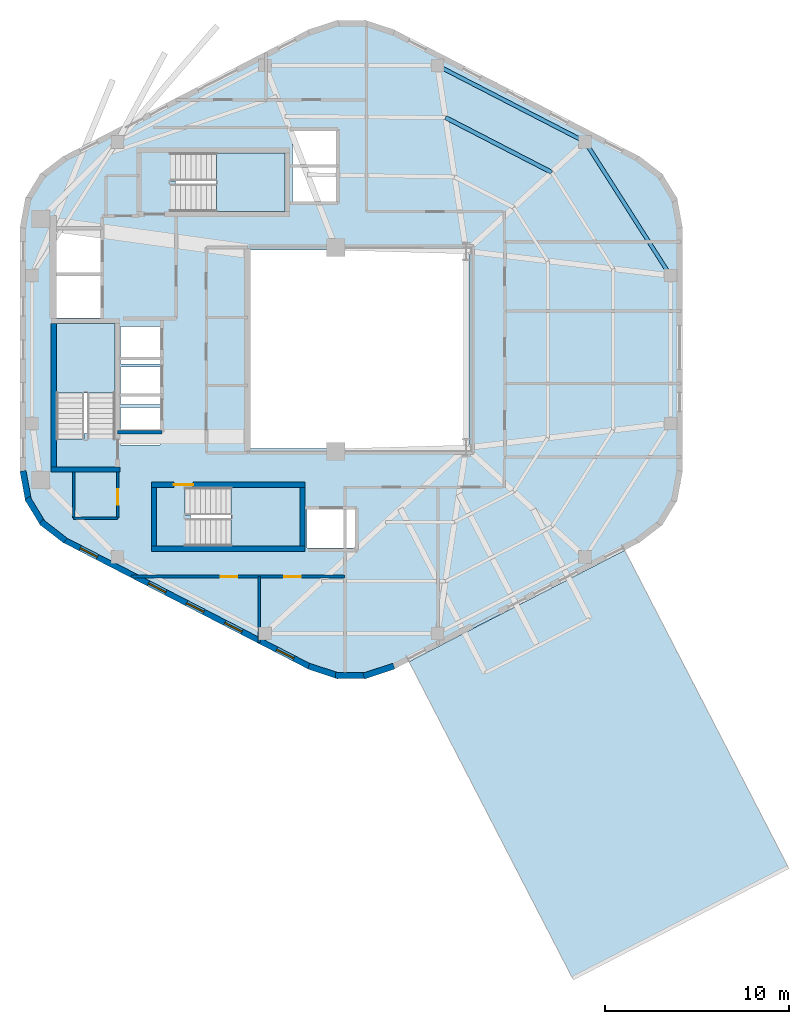
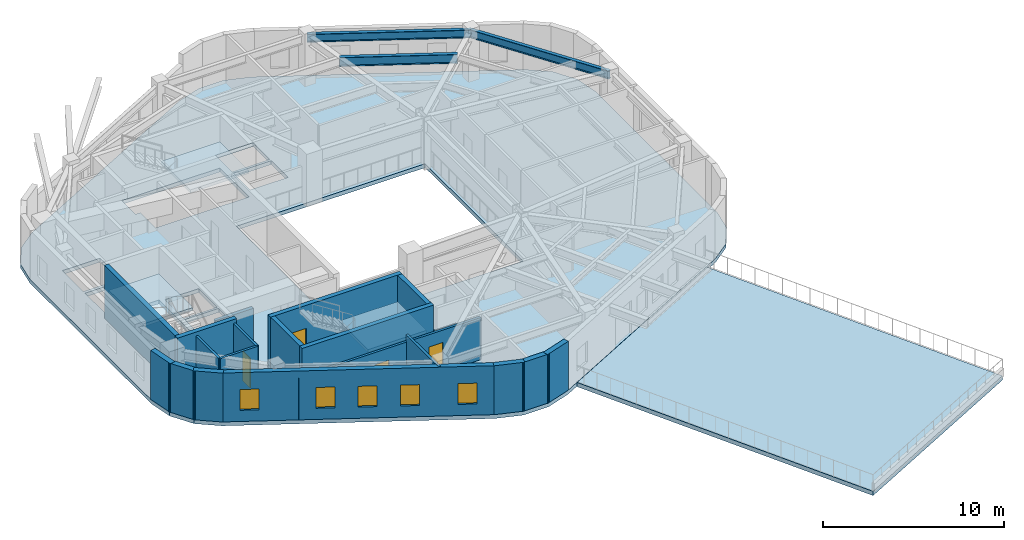
# One storey, part 2 of 8: 19 walls, 5 slabs, 5 windows, 4 doors, 3 beams, 9 openings, 4 elements without a shape of their own.
"""IFC4 building model written with IfcOpenShell, lengths in metres."""

from ifc_helpers import new_model, si_unit, direction, frame, frame_2d, origin, origin_2d, place, context, subcontext, project, spatial, polyline, rectangle, i_section, outline, extrude, material, layer, layer_set, material_profile, profile_set, type_object, element, fill, aggregate, save


model = new_model("IFC4")

# Units and contexts
model_context = context("Model", 3, precision=1e-05, world=origin(), true_north=direction((0.0, 1.0)))
body_context = subcontext(model_context, "Body", "Model", "MODEL_VIEW")
ifc_project = project(units=[si_unit("LENGTHUNIT", "METRE"), si_unit("AREAUNIT", "SQUARE_METRE"), si_unit("VOLUMEUNIT", "CUBIC_METRE"), si_unit("PLANEANGLEUNIT", "RADIAN"), si_unit("MASSUNIT", "GRAM", prefix="KILO"), si_unit("THERMODYNAMICTEMPERATUREUNIT", "KELVIN"), si_unit("POWERUNIT", "WATT")], contexts=[model_context])

# Site, building, storey
site_placement = place(None, origin())
site = spatial("IfcSite", under=ifc_project, at=site_placement, CompositionType="ELEMENT")
building_placement = place(site_placement, origin())
building = spatial("IfcBuilding", under=site, at=building_placement, Name="Skarre Station Tower", CompositionType="ELEMENT")
storey_placement = place(building_placement, frame((0.0, 0.0, 245.449951171875)))
storey = spatial("IfcBuildingStorey", under=building, at=storey_placement, Name="L67", CompositionType="ELEMENT", Elevation=245.449951171875)

# Beams
ifc_material_1 = material(Name="Steel ASTM A992 Grade 50", Category="steel")
ifc_material_profile_1 = material_profile(ifc_material_1, i_section(OverallWidth=0.22802734375, OverallDepth=0.60791015625, WebThickness=0.010986328125, FlangeThickness=0.01708984375, at=origin_2d()), Name="Steel ASTM A992 Grade 50")
ifc_profile_set_1 = profile_set([ifc_material_profile_1], Name="Steel ASTM A992 Grade 50")
beam_type_1 = type_object("IfcBeamType", Name="Steel Joist W24X76", PredefinedType="JOIST", material=ifc_profile_set_1)
beam_1_placement = place(storey_placement, frame((44.113037109375, 33.633056640625, 2.986083984375), z_axis=(-0.888610306875, 0.458662972689, 0.0), x_axis=(-0.458662972689, -0.888610306875, 0.0)))
element("IfcBeam", 1, at=beam_1_placement, inside=storey, type_object=beam_type_1, Name="L67 Secondary Floor Joist 2", PredefinedType="JOIST", context=body_context, shape_type="SweptSolid", body=[
    extrude(i_section(OverallWidth=0.22802734375, OverallDepth=0.60791015625, WebThickness=0.010986328125, FlangeThickness=0.01708984375, at=origin_2d()), origin(), (0.0, 0.0, 1.0), 6.512451171875),
])
ifc_material_profile_2 = material_profile(ifc_material_1, i_section(OverallWidth=0.214111328125, OverallDepth=0.549072265625, WebThickness=0.014892578125, FlangeThickness=0.02392578125, at=origin_2d()), Name="Steel ASTM A992 Grade 50")
ifc_profile_set_2 = profile_set([ifc_material_profile_2], Name="Steel ASTM A992 Grade 50")
beam_type_2 = type_object("IfcBeamType", Name="Steel Spandrel W21X93", PredefinedType="SPANDREL", material=ifc_profile_set_2)
beam_2_placement = place(storey_placement, frame((45.927001953125, 35.298095703125, 3.01611328125), z_axis=(-0.888610011727, 0.458663544505, 0.0), x_axis=(-0.458663544505, -0.888610011727, 0.0)))
element("IfcBeam", 2, at=beam_2_placement, inside=storey, type_object=beam_type_2, Name="L67 Facet Spandrel Beam 1", PredefinedType="SPANDREL", context=body_context, shape_type="SweptSolid", body=[
    extrude(i_section(OverallWidth=0.214111328125, OverallDepth=0.549072265625, WebThickness=0.014892578125, FlangeThickness=0.02392578125, at=origin_2d()), origin(), (0.0, 0.0, 1.0), 9.045654296875),
])
beam_3_placement = place(storey_placement, frame((50.56298828125, 28.02099609375, 3.01611328125), z_axis=(-0.537296523663, 0.843393410965, 0.0), x_axis=(-0.843393410965, -0.537296523663, 0.0)))
element("IfcBeam", 3, at=beam_3_placement, inside=storey, type_object=beam_type_2, Name="L67 Facet Spandrel Beam 12", PredefinedType="SPANDREL", context=body_context, shape_type="SweptSolid", body=[
    extrude(i_section(OverallWidth=0.214111328125, OverallDepth=0.549072265625, WebThickness=0.014892578125, FlangeThickness=0.02392578125, at=origin_2d()), origin(), (0.0, 0.0, 1.0), 8.62841796875),
])

# Roof, slab
ifc_material_2 = material(Name="Precast concrete C40/50", Category="concrete")
ifc_layer_1 = layer(ifc_material_2, 0.320068359375, Name="Precast concrete C40/50")
ifc_layer_set_1 = layer_set([ifc_layer_1], Name="Precast concrete C40/50")
roof_type = type_object("IfcRoofType", Name="Insulated Standing-Seam & Inverted Ballasted Roof Assembly", PredefinedType="FLAT_ROOF", material=ifc_layer_set_1)
roof_placement = place(storey_placement, origin())
roof = element("IfcRoof", 4, at=roof_placement, inside=storey, type_object=roof_type, Name="L67 SB-5 Sky-Bar Roof Assembly", PredefinedType="FLAT_ROOF")
ifc_material_3 = material(Name="Concrete C50/60", Category="concrete")
ifc_layer_2 = layer(ifc_material_3, 0.284912109375, Name="Concrete C50/60")
ifc_layer_set_2 = layer_set([ifc_layer_2], Name="Concrete C50/60")
slab_type_1 = type_object("IfcSlabType", Name="Occupied Terrace Roof Deck Slab 285", PredefinedType="ROOF", material=ifc_layer_set_2)
slab_1_placement = place(storey_placement, frame((0.0, 0.0, -0.284912109375)))
slab_1 = element("IfcSlab", 5, at=slab_1_placement, type_object=slab_type_1, Name="L67 SB-5 Sky-Bar Roof Terrace Deck", PredefinedType="ROOF", context=body_context, shape_type="SweptSolid", body=[
    extrude(outline(polyline([(48.075927734375, 13.069091796875), (36.345947265625, 7.012939453125), (45.240966796875, -10.216064453125), (56.969970703125, -4.160888671875), (48.075927734375, 13.069091796875)])), origin(), (0.0, 0.0, 1.0), 0.284912109375),
])
aggregate(roof, [slab_1])

# Stair, slab
ifc_material_4 = material(Name="Concrete C40/50", Category="concrete")
stair_type_1 = type_object("IfcStairType", Name="Reinforced Concrete Exit Stair ST-1", PredefinedType="HALF_TURN_STAIR", material=ifc_material_4)
stair_1_placement = place(storey_placement, origin())
stair_1 = element("IfcStair", 6, at=stair_1_placement, inside=storey, type_object=stair_type_1, Name="L67 Core Exit Stair ST-1", PredefinedType="HALF_TURN_STAIR")
ifc_layer_3 = layer(ifc_material_4, 0.219970703125, Name="Concrete C40/50")
ifc_layer_set_3 = layer_set([ifc_layer_3], Name="Concrete C40/50")
slab_type_2 = type_object("IfcSlabType", Name="Reinforced Concrete Stair & Ramp Landing 220", PredefinedType="LANDING", material=ifc_layer_set_3)
slab_2_placement = place(storey_placement, frame((0.0, 0.0, 1.574951171875)))
slab_2 = element("IfcSlab", 7, at=slab_2_placement, type_object=slab_type_2, Name="ST-1 landing 1", PredefinedType="LANDING", context=body_context, shape_type="SweptSolid", body=[
    extrude(outline(polyline([(20.35009765625, 21.639892578125), (20.35009765625, 25.39990234375), (17.14990234375, 25.39990234375), (17.14990234375, 21.639892578125), (20.35009765625, 21.639892578125)])), origin(), (0.0, 0.0, 1.0), 0.2001953125),
])
aggregate(stair_1, [slab_2])

stair_type_2 = type_object("IfcStairType", Name="Reinforced Concrete Exit Stair ST-2", PredefinedType="HALF_TURN_STAIR", material=ifc_material_4)
stair_2_placement = place(storey_placement, origin())
stair_2 = element("IfcStair", 8, at=stair_2_placement, inside=storey, type_object=stair_type_2, Name="L67 Core Exit Stair ST-2", PredefinedType="HALF_TURN_STAIR")
slab_3_placement = place(storey_placement, frame((0.0, 0.0, 1.574951171875)))
slab_3 = element("IfcSlab", 9, at=slab_3_placement, type_object=slab_type_2, Name="ST-2 landing 1", PredefinedType="LANDING", context=body_context, shape_type="SweptSolid", body=[
    extrude(outline(polyline([(26.669921875, 13.300048828125), (30.39990234375, 13.300048828125), (30.39990234375, 16.5), (26.669921875, 16.5), (26.669921875, 13.300048828125)])), origin(), (0.0, 0.0, 1.0), 0.2001953125),
])
aggregate(stair_2, [slab_3])

stair_type_3 = type_object("IfcStairType", Name="Reinforced Concrete Exit Stair ST-3", PredefinedType="HALF_TURN_STAIR", material=ifc_material_4)
stair_3_placement = place(storey_placement, origin())
stair_3 = element("IfcStair", 10, at=stair_3_placement, inside=storey, type_object=stair_type_3, Name="L67 Core Exit Stair ST-3", PredefinedType="HALF_TURN_STAIR")
slab_4_placement = place(storey_placement, frame((0.0, 0.0, 1.574951171875)))
slab_4 = element("IfcSlab", 11, at=slab_4_placement, type_object=slab_type_2, Name="ST-3 landing 1", PredefinedType="LANDING", context=body_context, shape_type="SweptSolid", body=[
    extrude(outline(polyline([(25.8701171875, 31.5), (29.60009765625, 31.5), (29.60009765625, 34.699951171875), (25.8701171875, 34.699951171875), (25.8701171875, 31.5)])), origin(), (0.0, 0.0, 1.0), 0.2001953125),
])
aggregate(stair_3, [slab_4])

# Slab
ifc_layer_4 = layer(ifc_material_3, 0.260009765625, Name="Concrete C50/60")
ifc_layer_set_4 = layer_set([ifc_layer_4], Name="Concrete C50/60")
slab_type_3 = type_object("IfcSlabType", Name="Tower Typical Composite Floor Slab 260", PredefinedType="FLOOR", material=ifc_layer_set_4)
slab_5_placement = place(storey_placement, frame((0.0, 0.0, -0.260009765625)))
element("IfcSlab", 12, at=slab_5_placement, inside=storey, type_object=slab_type_3, Name="L67 Zone 4 Structural Floor Slab", PredefinedType="FLOOR", context=body_context, shape_type="SweptSolid", body=[
    extrude(outline(polyline([(51.212890625, 30.701904296875), (50.93310546875, 32.222900390625), (50.1279296875, 33.544921875), (48.905029296875, 34.491943359375), (35.508056640625, 41.407958984375), (33.99609375, 41.906005859375), (32.404052734375, 41.906005859375), (30.89208984375, 41.407958984375), (17.4951171875, 34.491943359375), (16.27197265625, 33.544921875), (15.467041015625, 32.222900390625), (15.18701171875, 30.701904296875), (15.18701171875, 17.298095703125), (15.467041015625, 15.777099609375), (16.27197265625, 14.455078125), (17.4951171875, 13.508056640625), (30.89208984375, 6.592041015625), (32.404052734375, 6.093994140625), (33.99609375, 6.093994140625), (35.508056640625, 6.592041015625), (48.905029296875, 13.508056640625), (50.1279296875, 14.455078125), (50.93310546875, 15.777099609375), (51.212890625, 17.298095703125), (51.212890625, 30.701904296875)]), holes=[polyline([(18.669921875, 19.419921875), (18.669921875, 19.123046875), (17.14990234375, 19.123046875), (17.14990234375, 25.39990234375), (20.35009765625, 25.39990234375), (20.35009765625, 19.419921875), (18.669921875, 19.419921875)]), polyline([(24.449951171875, 14.97998046875), (24.153076171875, 14.97998046875), (24.153076171875, 16.5), (30.39990234375, 16.5), (30.39990234375, 13.300048828125), (24.449951171875, 13.300048828125), (24.449951171875, 14.97998046875)]), polyline([(23.64990234375, 33.179931640625), (23.35302734375, 33.179931640625), (23.35302734375, 34.699951171875), (29.60009765625, 34.699951171875), (29.60009765625, 31.5), (23.64990234375, 31.5), (23.64990234375, 33.179931640625)]), polyline([(17.14990234375, 28.0), (19.550048828125, 28.0), (19.550048828125, 25.699951171875), (17.14990234375, 25.699951171875), (17.14990234375, 28.0)]), polyline([(17.14990234375, 30.5), (19.550048828125, 30.5), (19.550048828125, 28.199951171875), (17.14990234375, 28.199951171875), (17.14990234375, 30.5)]), polyline([(30.800048828125, 15.300048828125), (33.39990234375, 15.300048828125), (33.39990234375, 13.199951171875), (30.800048828125, 13.199951171875), (30.800048828125, 15.300048828125)]), polyline([(20.64990234375, 20.85009765625), (22.800048828125, 20.85009765625), (22.800048828125, 18.800048828125), (20.64990234375, 18.800048828125), (20.64990234375, 20.85009765625)]), polyline([(20.64990234375, 23.050048828125), (22.800048828125, 23.050048828125), (22.800048828125, 21.0), (20.64990234375, 21.0), (20.64990234375, 23.050048828125)]), polyline([(20.64990234375, 25.25), (22.800048828125, 25.25), (22.800048828125, 23.199951171875), (20.64990234375, 23.199951171875), (20.64990234375, 25.25)]), polyline([(30.0, 33.89990234375), (32.39990234375, 33.89990234375), (32.39990234375, 32.050048828125), (30.0, 32.050048828125), (30.0, 33.89990234375)]), polyline([(30.0, 35.89990234375), (32.39990234375, 35.89990234375), (32.39990234375, 34.050048828125), (30.0, 34.050048828125), (30.0, 35.89990234375)]), polyline([(27.60009765625, 29.39990234375), (39.60009765625, 29.39990234375), (39.60009765625, 18.60009765625), (27.60009765625, 18.60009765625), (27.60009765625, 29.39990234375)])]), origin(), (0.0, 0.0, 1.0), 0.260009765625),
])

# Walls
ifc_material_5 = material(Name="Acoustic Steel-Stud Gypsum Partition", Category="steel")
ifc_layer_5 = layer(ifc_material_5, 0.14990234375, Name="Acoustic Steel-Stud Gypsum Partition")
ifc_layer_set_5 = layer_set([ifc_layer_5], Name="Acoustic Steel-Stud Gypsum Partition")
wall_type_1 = type_object("IfcWallType", Name="Fire-Rated Corridor Acoustic Partition 150", PredefinedType="PARTITIONING", material=ifc_layer_set_5)
wall_1_placement = place(storey_placement, frame((18.10009765625, 17.340087890625, 0.0), z_axis=(0.0, 0.0, 1.0), x_axis=(0.0, -1.0, 0.0)))
element("IfcWall", 13, at=wall_1_placement, inside=storey, type_object=wall_type_1, Name="L67 Interior Partition WL-PT-L67-CSVC-W", PredefinedType="PARTITIONING", context=body_context, shape_type="SweptSolid", body=[
    extrude(rectangle(XDim=2.52001953125, YDim=0.14990234375, at=frame_2d((1.260009765625, 0.0))), origin(), (0.0, 0.0, 1.0), 3.2900390625),
])
wall_2_placement = place(storey_placement, frame((18.10009765625, 14.820068359375, 0.0), z_axis=(0.0, 0.0, 1.0), x_axis=(1.0, 0.0, 0.0)))
element("IfcWall", 14, at=wall_2_placement, inside=storey, type_object=wall_type_1, Name="L67 Interior Partition WL-PT-L67-CSVC-S", PredefinedType="PARTITIONING", context=body_context, shape_type="SweptSolid", body=[
    extrude(rectangle(XDim=2.389892578125, YDim=0.14990234375, at=frame_2d((1.19482421875, 0.0))), origin(), (0.0, 0.0, 1.0), 3.2900390625),
])

# Wall, opening, door
wall_3_placement = place(storey_placement, frame((20.489990234375, 14.820068359375, 0.0), z_axis=(0.0, 0.0, 1.0), x_axis=(0.0, 1.0, 0.0)))
wall_3 = element("IfcWall", 15, at=wall_3_placement, inside=storey, type_object=wall_type_1, Name="L67 Interior Partition WL-PT-L67-CSVC-E", PredefinedType="PARTITIONING", context=body_context, shape_type="SweptSolid", body=[
    extrude(rectangle(XDim=2.52001953125, YDim=0.14990234375, at=frame_2d((1.260009765625, 0.0))), origin(), (0.0, 0.0, 1.0), 3.2900390625),
])
opening_1_placement = place(wall_3_placement, frame((0.719970703125, 0.0, 0.0)))
opening_1 = element("IfcOpeningElement", 16, at=opening_1_placement, cuts=wall_3, Name="Opening DR-SVC86", PredefinedType="OPENING", context=body_context, shape_type="SweptSolid", body=[
    extrude(rectangle(XDim=0.860107421875, YDim=2.0, at=frame_2d((0.43017578125, 1.0))), frame((0.0, 0.0849609375, 0.0), z_axis=(0.0, -1.0, 0.0), x_axis=(1.0, 0.0, 0.0)), (0.0, 0.0, 1.0), 0.169921875),
])
ifc_material_6 = material(Name="Powder-Coated Hollow-Metal Acoustic Fire Leaf", Category="steel")
door_type_1 = type_object("IfcDoorType", Name="Compact Riser Fire Door FD60 860x2100", OperationType="SINGLE_SWING_LEFT", PredefinedType="DOOR", material=ifc_material_6)
door_1_placement = place(opening_1_placement, origin())
door_1 = element("IfcDoor", 17, at=door_1_placement, inside=storey, type_object=door_type_1, Name="L67 Core Staff Toilet Door", OperationType="SINGLE_SWING_LEFT", OverallHeight=2.0, OverallWidth=0.860107421875, PredefinedType="DOOR", context=body_context, shape_type="SweptSolid", body=[
    extrude(rectangle(XDim=0.860107421875, YDim=2.0, at=frame_2d((0.43017578125, 1.0))), frame((0.0, 0.02490234375, 0.0), z_axis=(0.0, -1.0, 0.0), x_axis=(1.0, 0.0, 0.0)), (0.0, 0.0, 1.0), 0.050048828125),
])
fill(opening_1, door_1)

# Wall
wall_4_placement = place(storey_placement, frame((28.199951171875, 8.049072265625, 0.0), z_axis=(0.0, 0.0, 1.0), x_axis=(0.0, 1.0, 0.0)))
element("IfcWall", 18, at=wall_4_placement, inside=storey, type_object=wall_type_1, Name="L67 Interior Partition WL-PT-L67-SWP-M", PredefinedType="PARTITIONING", context=body_context, shape_type="SweptSolid", body=[
    extrude(rectangle(XDim=3.5908203125, YDim=0.14990234375, at=frame_2d((1.79541015625, 0.0))), origin(), (0.0, 0.0, 1.0), 3.2900390625),
])

# Wall, openings, doors
wall_5_placement = place(storey_placement, frame((21.243896484375, 11.639892578125, 0.0), z_axis=(0.0, 0.0, 1.0), x_axis=(1.0, 0.0, 0.0)))
wall_5 = element("IfcWall", 19, at=wall_5_placement, inside=storey, type_object=wall_type_1, Name="L67 Interior Partition WL-PT-L67-SWP-N", PredefinedType="PARTITIONING", context=body_context, shape_type="SweptSolid", body=[
    extrude(rectangle(XDim=11.606201171875, YDim=0.14990234375, at=frame_2d((5.80322265625, 0.0))), origin(), (0.0, 0.0, 1.0), 2.8330078125),
])
opening_2_placement = place(wall_5_placement, frame((4.85595703125, 0.0, 0.0)))
opening_2 = element("IfcOpeningElement", 20, at=opening_2_placement, cuts=wall_5, Name="Opening DR-SVC90", PredefinedType="OPENING", context=body_context, shape_type="SweptSolid", body=[
    extrude(rectangle(XDim=0.89990234375, YDim=2.0, at=frame_2d((0.449951171875, 1.0))), frame((0.0, 0.0849609375, 0.0), z_axis=(0.0, -1.0, 0.0), x_axis=(1.0, 0.0, 0.0)), (0.0, 0.0, 1.0), 0.169921875),
])
opening_3_placement = place(wall_5_placement, frame((8.305908203125, 0.0, 0.0)))
opening_3 = element("IfcOpeningElement", 21, at=opening_3_placement, cuts=wall_5, Name="Opening DR-SVC90", PredefinedType="OPENING", context=body_context, shape_type="SweptSolid", body=[
    extrude(rectangle(XDim=0.89990234375, YDim=2.0, at=frame_2d((0.449951171875, 1.0))), frame((0.0, 0.0849609375, 0.0), z_axis=(0.0, -1.0, 0.0), x_axis=(1.0, 0.0, 0.0)), (0.0, 0.0, 1.0), 0.169921875),
])
door_type_2 = type_object("IfcDoorType", Name="Service & Riser Fire Door FD60 900x2100", OperationType="SINGLE_SWING_LEFT", PredefinedType="DOOR", material=ifc_material_6)
door_2_placement = place(opening_2_placement, origin())
door_2 = element("IfcDoor", 22, at=door_2_placement, inside=storey, type_object=door_type_2, Name="L67 Floor Public Toilets Door", OperationType="SINGLE_SWING_LEFT", OverallHeight=2.0, OverallWidth=0.89990234375, PredefinedType="DOOR", context=body_context, shape_type="SweptSolid", body=[
    extrude(rectangle(XDim=0.89990234375, YDim=2.0, at=frame_2d((0.449951171875, 1.0))), frame((0.0, 0.02490234375, 0.0), z_axis=(0.0, -1.0, 0.0), x_axis=(1.0, 0.0, 0.0)), (0.0, 0.0, 1.0), 0.050048828125),
])
fill(opening_2, door_2)
door_3_placement = place(opening_3_placement, origin())
door_3 = element("IfcDoor", 23, at=door_3_placement, inside=storey, type_object=door_type_2, Name="L67 South-West Study Door", OperationType="SINGLE_SWING_LEFT", OverallHeight=2.0, OverallWidth=0.89990234375, PredefinedType="DOOR", context=body_context, shape_type="SweptSolid", body=[
    extrude(rectangle(XDim=0.89990234375, YDim=2.0, at=frame_2d((0.449951171875, 1.0))), frame((0.0, 0.02490234375, 0.0), z_axis=(0.0, -1.0, 0.0), x_axis=(1.0, 0.0, 0.0)), (0.0, 0.0, 1.0), 0.050048828125),
])
fill(opening_3, door_3)

# Walls
ifc_material_7 = material(Name="Precast concrete C45/55", Category="concrete")
ifc_layer_6 = layer(ifc_material_7, 0.330078125, Name="Precast concrete C45/55")
ifc_layer_set_6 = layer_set([ifc_layer_6], Name="Precast concrete C45/55")
wall_type_2 = type_object("IfcWallType", Name="Nordic Rounded Corner Precast Wall 330", PredefinedType="STANDARD", material=ifc_layer_set_6)
wall_6_placement = place(storey_placement, frame((17.64697265625, 13.59912109375, 0.0), z_axis=(0.0, 0.0, 1.0), x_axis=(-0.790691856293, 0.61221433207, 0.0)))
element("IfcWall", 24, at=wall_6_placement, inside=storey, type_object=wall_type_2, Name="L67 Rounded Corner Precast Wall F3-1", PredefinedType="STANDARD", context=body_context, shape_type="SweptSolid", body=[
    extrude(rectangle(XDim=1.67578125, YDim=0.330078125, at=frame_2d((0.837890625, 0.0))), origin(), (0.0, 0.0, 1.0), 3.2900390625),
])
wall_7_placement = place(storey_placement, frame((16.447021484375, 14.485107421875, 0.0), z_axis=(0.0, 0.0, 1.0), x_axis=(-0.520325409202, 0.853968072318, 0.0)))
element("IfcWall", 25, at=wall_7_placement, inside=storey, type_object=wall_type_2, Name="L67 Rounded Corner Precast Wall F3-2", PredefinedType="STANDARD", context=body_context, shape_type="SweptSolid", body=[
    extrude(rectangle(XDim=1.677978515625, YDim=0.330078125, at=frame_2d((0.8388671875, 0.0))), origin(), (0.0, 0.0, 1.0), 3.2900390625),
])
wall_8_placement = place(storey_placement, frame((15.64111328125, 15.742919921875, 0.0), z_axis=(0.0, 0.0, 1.0), x_axis=(-0.180832605401, 0.983513888475, 0.0)))
element("IfcWall", 26, at=wall_8_placement, inside=storey, type_object=wall_type_2, Name="L67 Rounded Corner Precast Wall F3-3", PredefinedType="STANDARD", context=body_context, shape_type="SweptSolid", body=[
    extrude(rectangle(XDim=1.6767578125, YDim=0.330078125, at=frame_2d((0.83837890625, 0.0))), origin(), (0.0, 0.0, 1.0), 3.2900390625),
])
wall_9_placement = place(storey_placement, frame((35.51806640625, 6.76904296875, 0.0), z_axis=(0.0, 0.0, 1.0), x_axis=(-0.949713440491, -0.313120393699, 0.0)))
element("IfcWall", 27, at=wall_9_placement, inside=storey, type_object=wall_type_2, Name="L67 Rounded Corner Precast Wall F4-1", PredefinedType="STANDARD", context=body_context, shape_type="SweptSolid", body=[
    extrude(rectangle(XDim=1.7216796875, YDim=0.330078125, at=frame_2d((0.86083984375, 0.0))), origin(), (0.0, 0.0, 1.0), 3.2900390625),
])
wall_10_placement = place(storey_placement, frame((34.06103515625, 6.259033203125, 0.0), z_axis=(0.0, 0.0, 1.0), x_axis=(-1.0, 0.0, 0.0)))
element("IfcWall", 28, at=wall_10_placement, inside=storey, type_object=wall_type_2, Name="L67 Rounded Corner Precast Wall F4-2", PredefinedType="STANDARD", context=body_context, shape_type="SweptSolid", body=[
    extrude(rectangle(XDim=1.721923828125, YDim=0.330078125, at=frame_2d((0.86083984375, 0.0))), origin(), (0.0, 0.0, 1.0), 3.2900390625),
])
wall_11_placement = place(storey_placement, frame((32.51708984375, 6.22998046875, 0.0), z_axis=(0.0, 0.0, 1.0), x_axis=(-0.949713440491, 0.313120393699, 0.0)))
element("IfcWall", 29, at=wall_11_placement, inside=storey, type_object=wall_type_2, Name="L67 Rounded Corner Precast Wall F4-3", PredefinedType="STANDARD", context=body_context, shape_type="SweptSolid", body=[
    extrude(rectangle(XDim=1.7216796875, YDim=0.330078125, at=frame_2d((0.86083984375, 0.0))), origin(), (0.0, 0.0, 1.0), 3.2900390625),
])

# Wall, openings, windows
ifc_layer_7 = layer(ifc_material_7, 0.31005859375, Name="Precast concrete C45/55")
ifc_layer_set_7 = layer_set([ifc_layer_7], Name="Precast concrete C45/55")
wall_type_3 = type_object("IfcWallType", Name="Nordic Upper-Zone Precast Facet Wall 310", PredefinedType="STANDARD", material=ifc_layer_set_7)
wall_12_placement = place(storey_placement, frame((30.962890625, 6.72998046875, 0.0), z_axis=(0.0, 0.0, 1.0), x_axis=(-0.888581481622, 0.458718814218, 0.0)))
wall_12 = element("IfcWall", 30, at=wall_12_placement, inside=storey, type_object=wall_type_3, Name="L67 Facet 3 Nordic Precast Masonry Wall", PredefinedType="STANDARD", context=body_context, shape_type="SweptSolid", body=[
    extrude(rectangle(XDim=15.076904296875, YDim=0.31005859375, at=frame_2d((7.53857421875, 0.0))), origin(), (0.0, 0.0, 1.0), 3.2900390625),
])
opening_4_placement = place(wall_12_placement, frame((0.998046875, 0.0, 0.75)))
opening_4 = element("IfcOpeningElement", 31, at=opening_4_placement, cuts=wall_12, Name="Opening WN-SLT", PredefinedType="OPENING", context=body_context, shape_type="SweptSolid", body=[
    extrude(rectangle(XDim=1.050048828125, YDim=1.39990234375, at=frame_2d((0.52490234375, 0.699951171875))), frame((0.0, 0.1650390625, 0.0), z_axis=(0.0, -1.0, 0.0), x_axis=(1.0, 0.0, 0.0)), (0.0, 0.0, 1.0), 0.330078125),
])
opening_5_placement = place(wall_12_placement, frame((4.176025390625, 0.0, 0.75)))
opening_5 = element("IfcOpeningElement", 32, at=opening_5_placement, cuts=wall_12, Name="Opening WN-SLT", PredefinedType="OPENING", context=body_context, shape_type="SweptSolid", body=[
    extrude(rectangle(XDim=1.050048828125, YDim=1.39990234375, at=frame_2d((0.52490234375, 0.699951171875))), frame((0.0, 0.1650390625, 0.0), z_axis=(0.0, -1.0, 0.0), x_axis=(1.0, 0.0, 0.0)), (0.0, 0.0, 1.0), 0.330078125),
])
opening_6_placement = place(wall_12_placement, frame((6.509033203125, 0.0, 0.75)))
opening_6 = element("IfcOpeningElement", 33, at=opening_6_placement, cuts=wall_12, Name="Opening WN-SLT", PredefinedType="OPENING", context=body_context, shape_type="SweptSolid", body=[
    extrude(rectangle(XDim=1.050048828125, YDim=1.39990234375, at=frame_2d((0.52490234375, 0.699951171875))), frame((0.0, 0.1650390625, 0.0), z_axis=(0.0, -1.0, 0.0), x_axis=(1.0, 0.0, 0.0)), (0.0, 0.0, 1.0), 0.330078125),
])
opening_7_placement = place(wall_12_placement, frame((8.842041015625, 0.0, 0.75)))
opening_7 = element("IfcOpeningElement", 34, at=opening_7_placement, cuts=wall_12, Name="Opening WN-SLT", PredefinedType="OPENING", context=body_context, shape_type="SweptSolid", body=[
    extrude(rectangle(XDim=1.050048828125, YDim=1.39990234375, at=frame_2d((0.52490234375, 0.699951171875))), frame((0.0, 0.1650390625, 0.0), z_axis=(0.0, -1.0, 0.0), x_axis=(1.0, 0.0, 0.0)), (0.0, 0.0, 1.0), 0.330078125),
])
opening_8_placement = place(wall_12_placement, frame((13.029052734375, 0.0, 0.75)))
opening_8 = element("IfcOpeningElement", 35, at=opening_8_placement, cuts=wall_12, Name="Opening WN-SLT", PredefinedType="OPENING", context=body_context, shape_type="SweptSolid", body=[
    extrude(rectangle(XDim=1.050048828125, YDim=1.39990234375, at=frame_2d((0.52490234375, 0.699951171875))), frame((0.0, 0.1650390625, 0.0), z_axis=(0.0, -1.0, 0.0), x_axis=(1.0, 0.0, 0.0)), (0.0, 0.0, 1.0), 0.330078125),
])
ifc_material_8 = material(Name="Low-Iron Triple Glazing with Bronze Anodized Frame", Category="glass")
window_type = type_object("IfcWindowType", Name="Nordic Corner Slot Window 1050x1400", PartitioningType="SINGLE_PANEL", PredefinedType="WINDOW", material=ifc_material_8)
window_1_placement = place(opening_4_placement, origin())
window_1 = element("IfcWindow", 36, at=window_1_placement, inside=storey, type_object=window_type, Name="L67 Facade Window WL-FAC-L67-F3-1", OverallHeight=1.39990234375, OverallWidth=1.050048828125, PartitioningType="SINGLE_PANEL", PredefinedType="WINDOW", context=body_context, shape_type="SweptSolid", body=[
    extrude(rectangle(XDim=1.050048828125, YDim=1.39990234375, at=frame_2d((0.52490234375, 0.699951171875))), frame((0.0, 0.030029296875, 0.0), z_axis=(0.0, -1.0, 0.0), x_axis=(1.0, 0.0, 0.0)), (0.0, 0.0, 1.0), 0.06005859375),
])
fill(opening_4, window_1)
window_2_placement = place(opening_5_placement, origin())
window_2 = element("IfcWindow", 37, at=window_2_placement, inside=storey, type_object=window_type, Name="L67 Facade Window WL-FAC-L67-F3-2", OverallHeight=1.39990234375, OverallWidth=1.050048828125, PartitioningType="SINGLE_PANEL", PredefinedType="WINDOW", context=body_context, shape_type="SweptSolid", body=[
    extrude(rectangle(XDim=1.050048828125, YDim=1.39990234375, at=frame_2d((0.52490234375, 0.699951171875))), frame((0.0, 0.030029296875, 0.0), z_axis=(0.0, -1.0, 0.0), x_axis=(1.0, 0.0, 0.0)), (0.0, 0.0, 1.0), 0.06005859375),
])
fill(opening_5, window_2)
window_3_placement = place(opening_6_placement, origin())
window_3 = element("IfcWindow", 38, at=window_3_placement, inside=storey, type_object=window_type, Name="L67 Facade Window WL-FAC-L67-F3-3", OverallHeight=1.39990234375, OverallWidth=1.050048828125, PartitioningType="SINGLE_PANEL", PredefinedType="WINDOW", context=body_context, shape_type="SweptSolid", body=[
    extrude(rectangle(XDim=1.050048828125, YDim=1.39990234375, at=frame_2d((0.52490234375, 0.699951171875))), frame((0.0, 0.030029296875, 0.0), z_axis=(0.0, -1.0, 0.0), x_axis=(1.0, 0.0, 0.0)), (0.0, 0.0, 1.0), 0.06005859375),
])
fill(opening_6, window_3)
window_4_placement = place(opening_7_placement, origin())
window_4 = element("IfcWindow", 39, at=window_4_placement, inside=storey, type_object=window_type, Name="L67 Facade Window WL-FAC-L67-F3-4", OverallHeight=1.39990234375, OverallWidth=1.050048828125, PartitioningType="SINGLE_PANEL", PredefinedType="WINDOW", context=body_context, shape_type="SweptSolid", body=[
    extrude(rectangle(XDim=1.050048828125, YDim=1.39990234375, at=frame_2d((0.52490234375, 0.699951171875))), frame((0.0, 0.030029296875, 0.0), z_axis=(0.0, -1.0, 0.0), x_axis=(1.0, 0.0, 0.0)), (0.0, 0.0, 1.0), 0.06005859375),
])
fill(opening_7, window_4)
window_5_placement = place(opening_8_placement, origin())
window_5 = element("IfcWindow", 40, at=window_5_placement, inside=storey, type_object=window_type, Name="L67 Facade Window WL-FAC-L67-F3-5", OverallHeight=1.39990234375, OverallWidth=1.050048828125, PartitioningType="SINGLE_PANEL", PredefinedType="WINDOW", context=body_context, shape_type="SweptSolid", body=[
    extrude(rectangle(XDim=1.050048828125, YDim=1.39990234375, at=frame_2d((0.52490234375, 0.699951171875))), frame((0.0, 0.030029296875, 0.0), z_axis=(0.0, -1.0, 0.0), x_axis=(1.0, 0.0, 0.0)), (0.0, 0.0, 1.0), 0.06005859375),
])
fill(opening_8, window_5)

# Walls
ifc_layer_8 = layer(ifc_material_3, 0.280029296875, Name="Concrete C50/60")
ifc_layer_set_8 = layer_set([ifc_layer_8], Name="Concrete C50/60")
wall_type_4 = type_object("IfcWallType", Name="RC Core Shear Wall 280", PredefinedType="SHEAR", material=ifc_layer_set_8)
wall_13_placement = place(storey_placement, frame((16.8701171875, 17.4599609375, 0.0), z_axis=(0.0, 0.0, 1.0), x_axis=(1.0, 0.0, 0.0)))
element("IfcWall", 41, at=wall_13_placement, inside=storey, type_object=wall_type_4, Name="L67 Stair ST-1 South Shear Wall", PredefinedType="SHEAR", context=body_context, shape_type="SweptSolid", body=[
    extrude(rectangle(XDim=3.759765625, YDim=0.280029296875, at=frame_2d((1.8798828125, 0.0))), origin(), (0.0, 0.0, 1.0), 3.550048828125),
])
wall_14_placement = place(storey_placement, frame((17.010009765625, 25.39990234375, 0.0), z_axis=(0.0, 0.0, 1.0), x_axis=(0.0, -1.0, 0.0)))
element("IfcWall", 42, at=wall_14_placement, inside=storey, type_object=wall_type_4, Name="L67 Stair ST-1 West Shear Wall", PredefinedType="SHEAR", context=body_context, shape_type="SweptSolid", body=[
    extrude(rectangle(XDim=7.7998046875, YDim=0.280029296875, at=frame_2d((3.89990234375, 0.0))), origin(), (0.0, 0.0, 1.0), 3.550048828125),
])
wall_15_placement = place(storey_placement, frame((22.320068359375, 13.159912109375, 0.0), z_axis=(0.0, 0.0, 1.0), x_axis=(1.0, 0.0, 0.0)))
element("IfcWall", 43, at=wall_15_placement, inside=storey, type_object=wall_type_4, Name="L67 Stair ST-2 South Shear Wall", PredefinedType="SHEAR", context=body_context, shape_type="SweptSolid", body=[
    extrude(rectangle(XDim=8.35986328125, YDim=0.280029296875, at=frame_2d((4.179931640625, 0.0))), origin(), (0.0, 0.0, 1.0), 3.550048828125),
])

# Wall, opening, door
wall_16_placement = place(storey_placement, frame((30.679931640625, 16.639892578125, 0.0), z_axis=(0.0, 0.0, 1.0), x_axis=(-1.0, 0.0, 0.0)))
wall_16 = element("IfcWall", 44, at=wall_16_placement, inside=storey, type_object=wall_type_4, Name="L67 Stair ST-2 North Shear Wall", PredefinedType="SHEAR", context=body_context, shape_type="SweptSolid", body=[
    extrude(rectangle(XDim=8.35986328125, YDim=0.280029296875, at=frame_2d((4.179931640625, 0.0))), origin(), (0.0, 0.0, 1.0), 3.550048828125),
])
opening_9_placement = place(wall_16_placement, frame((6.080078125, 0.0, 0.0)))
opening_9 = element("IfcOpeningElement", 45, at=opening_9_placement, cuts=wall_16, Name="Opening DR-FD90", PredefinedType="OPENING", context=body_context, shape_type="SweptSolid", body=[
    extrude(rectangle(XDim=1.050048828125, YDim=2.0, at=frame_2d((0.52490234375, 1.0))), frame((0.0, 0.14990234375, 0.0), z_axis=(0.0, -1.0, 0.0), x_axis=(1.0, 0.0, 0.0)), (0.0, 0.0, 1.0), 0.300048828125),
])
ifc_material_9 = material(Name="Fire-Rated Insulated Steel Frame & Timber Core Leaf", Category="steel")
door_type_3 = type_object("IfcDoorType", Name="Stair & FSAE Lobby Fire Door FD90 1050x2150", OperationType="SINGLE_SWING_RIGHT", PredefinedType="DOOR", material=ifc_material_9)
door_4_placement = place(opening_9_placement, origin())
door_4 = element("IfcDoor", 46, at=door_4_placement, inside=storey, type_object=door_type_3, Name="L67 Stair ST-2 Exit Door", OperationType="SINGLE_SWING_RIGHT", OverallHeight=2.0, OverallWidth=1.050048828125, PredefinedType="DOOR", context=body_context, shape_type="SweptSolid", body=[
    extrude(rectangle(XDim=1.050048828125, YDim=2.0, at=frame_2d((0.52490234375, 1.0))), frame((0.0, 0.02490234375, 0.0), z_axis=(0.0, -1.0, 0.0), x_axis=(1.0, 0.0, 0.0)), (0.0, 0.0, 1.0), 0.050048828125),
])
fill(opening_9, door_4)

# Walls
for number, where, z_axis, x_axis, name in (
    (47, (22.4599609375, 16.5, 0.0), (0.0, 0.0, 1.0), (0.0, -1.0, 0.0), "L67 Stair ST-2 West Shear Wall"),
    (48, (30.5400390625, 13.300048828125, 0.0), (0.0, 0.0, 1.0), (0.0, 1.0, 0.0), "L67 Stair ST-2 East Shear Wall"),
):
    element("IfcWall", number, at=place(storey_placement, frame(where, z_axis=z_axis, x_axis=x_axis)), inside=storey, type_object=wall_type_4, Name=name, PredefinedType="SHEAR", context=body_context, shape_type="SweptSolid", body=[
        extrude(rectangle(XDim=3.199951171875, YDim=0.280029296875, at=frame_2d((1.60009765625, 0.0))), origin(), (0.0, 0.0, 1.0), 3.550048828125),
    ])
ifc_material_10 = material(Name="Gypsum Concrete Shaft Assembly C30/37", Category="concrete")
ifc_layer_9 = layer(ifc_material_10, 0.199951171875, Name="Gypsum Concrete Shaft Assembly C30/37")
ifc_layer_set_9 = layer_set([ifc_layer_9], Name="Gypsum Concrete Shaft Assembly C30/37")
wall_type_5 = type_object("IfcWallType", Name="Shaft & Core Fire Partition 200", PredefinedType="PARTITIONING", material=ifc_layer_set_9)
wall_17_placement = place(storey_placement, frame((20.489990234375, 19.5, 0.0), z_axis=(0.0, 0.0, 1.0), x_axis=(1.0, 0.0, 0.0)))
element("IfcWall", 49, at=wall_17_placement, inside=storey, type_object=wall_type_5, Name="L67 Interior Partition WL-PT-L67-B3-S", PredefinedType="PARTITIONING", context=body_context, shape_type="SweptSolid", body=[
    extrude(rectangle(XDim=2.409912109375, YDim=0.199951171875, at=frame_2d((1.205078125, 0.0))), origin(), (0.0, 0.0, 1.0), 2.18994140625),
])

save(model, "model.ifc")
